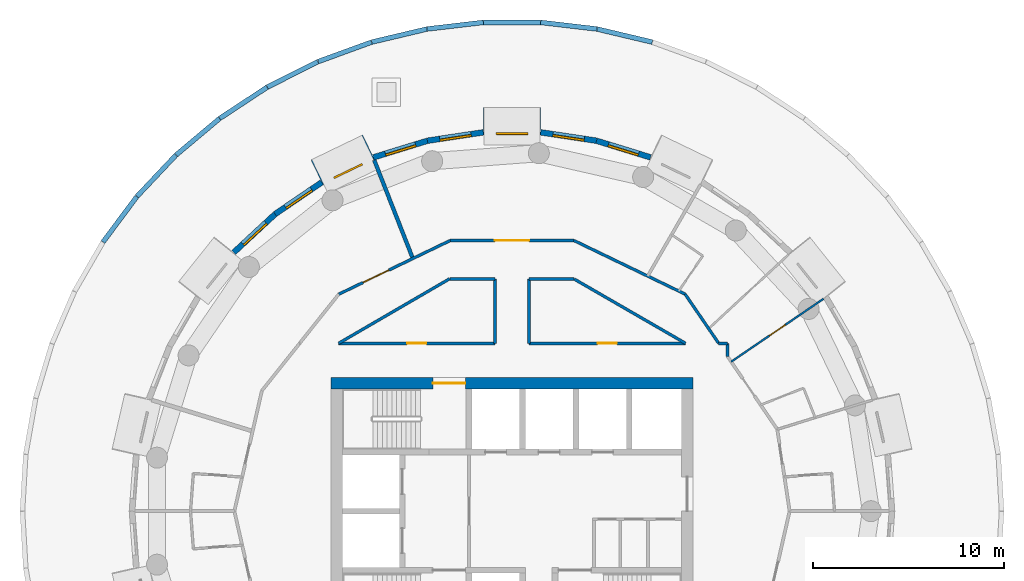
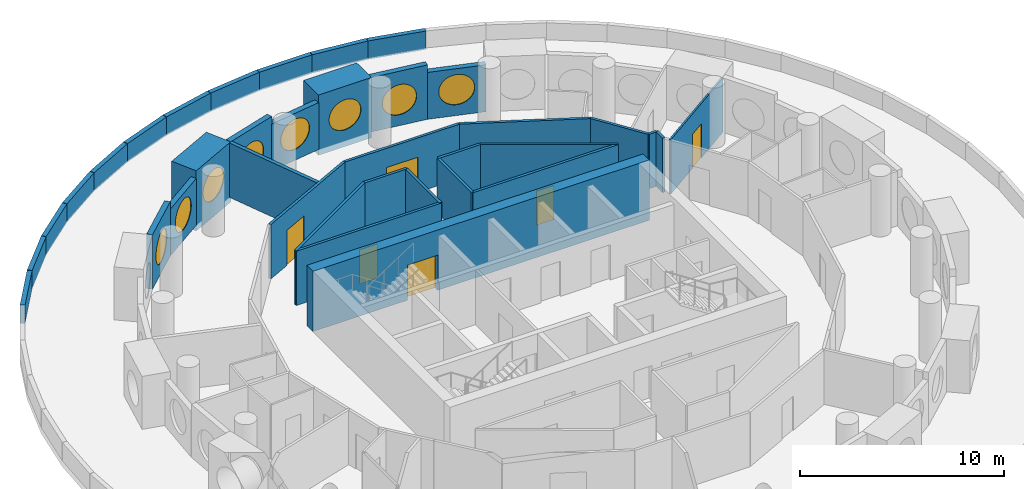
# One storey, part 9 of 13: 36 walls, 8 windows, 6 doors, 14 openings.
"""IFC4 building model written with IfcOpenShell, lengths in metres."""

from ifc_helpers import new_model, si_unit, direction, frame, frame_2d, origin, origin_2d, place, context, subcontext, project, spatial, rectangle, circle, extrude, material, layer, layer_set, type_object, element, fill, save


model = new_model("IFC4")

# Units and contexts
model_context = context("Model", 3, precision=1e-05, world=origin(), true_north=direction((0.0, 1.0)))
body_context = subcontext(model_context, "Body", "Model", "MODEL_VIEW")
ifc_project = project(units=[si_unit("LENGTHUNIT", "METRE"), si_unit("AREAUNIT", "SQUARE_METRE"), si_unit("VOLUMEUNIT", "CUBIC_METRE"), si_unit("PLANEANGLEUNIT", "RADIAN"), si_unit("MASSUNIT", "GRAM", prefix="KILO")], contexts=[model_context])

# Site, building, storey
site_placement = place(None, origin())
site = spatial("IfcSite", under=ifc_project, at=site_placement, CompositionType="ELEMENT")
building_placement = place(site_placement, origin())
building = spatial("IfcBuilding", under=site, at=building_placement, Name="Tracery Tower", CompositionType="ELEMENT")
storey_placement = place(building_placement, frame((0.0, 0.0, 231.0)))
storey = spatial("IfcBuildingStorey", under=building, at=storey_placement, Name="L59", CompositionType="ELEMENT", Elevation=231.0)

# Wall, opening, door
ifc_material_1 = material(Name="Concrete C40/50", Category="concrete")
ifc_layer_1 = layer(ifc_material_1, 0.60009765625)
ifc_layer_set_1 = layer_set([ifc_layer_1], Name="Core wall 600 C40")
wall_type_1 = type_object("IfcWallType", Name="Core wall 600 C40", PredefinedType="SOLIDWALL", material=ifc_layer_set_1)
wall_1_placement = place(storey_placement, frame((-9.5, 6.699951171875, 0.0), z_axis=(0.0, 0.0, 1.0), x_axis=(1.0, 0.0, 0.0)))
wall_1 = element("IfcWall", 1, at=wall_1_placement, inside=storey, type_object=wall_type_1, Name="L59 outer N", PredefinedType="SOLIDWALL", context=body_context, shape_type="SweptSolid", body=[
    extrude(rectangle(XDim=19.0, YDim=0.60009765625, at=frame_2d((9.5, 0.0))), origin(), (0.0, 0.0, 1.0), 3.60009765625),
])
opening_1_placement = place(wall_1_placement, frame((5.35009765625, 0.0, 0.0)))
opening_1 = element("IfcOpeningElement", 2, at=opening_1_placement, cuts=wall_1, Name="Opening KD3", PredefinedType="OPENING", context=body_context, shape_type="SweptSolid", body=[
    extrude(rectangle(XDim=1.699951171875, YDim=2.10009765625, at=frame_2d((0.85009765625, 1.050048828125))), frame((0.0, 0.300048828125, 0.0), z_axis=(0.0, -1.0, 0.0), x_axis=(1.0, 0.0, 0.0)), (0.0, 0.0, 1.0), 0.60009765625),
])
ifc_material_2 = material(Name="Steel fire door", Category="steel")
door_type_1 = type_object("IfcDoorType", Name="Core stair door 1700 double", OperationType="NOTDEFINED", PredefinedType="DOOR", material=ifc_material_2)
door_1_placement = place(opening_1_placement, origin())
door_1 = element("IfcDoor", 3, at=door_1_placement, inside=storey, type_object=door_type_1, Name="Stair door ST3 exit", OperationType="DOUBLE_DOOR_SINGLE_SWING", OverallHeight=2.10009765625, OverallWidth=1.699951171875, PredefinedType="DOOR", context=body_context, shape_type="SweptSolid", body=[
    extrude(rectangle(XDim=1.699951171875, YDim=2.10009765625, at=frame_2d((0.85009765625, 1.050048828125))), frame((0.0, 0.02490234375, 0.0), z_axis=(0.0, -1.0, 0.0), x_axis=(1.0, 0.0, 0.0)), (0.0, 0.0, 1.0), 0.050048828125),
])
fill(opening_1, door_1)

# Wall, opening, window
ifc_material_3 = material(Name="Precast concrete C50/60", Category="concrete")
ifc_layer_2 = layer(ifc_material_3, 1.449951171875)
ifc_layer_set_2 = layer_set([ifc_layer_2], Name="Deep-set bay unit 3000 x 3600, slab edge 350")
wall_type_2 = type_object("IfcWallType", Name="Deep-set bay unit 3000 x 3600, slab edge 350", PredefinedType="ELEMENTEDWALL", material=ifc_layer_set_2)
wall_2_placement = place(storey_placement, frame((1.5, 20.441162109375, -0.35009765625), z_axis=(0.0, 0.0, 1.0), x_axis=(-1.0, 0.0, 0.0)))
wall_2 = element("IfcWall", 4, at=wall_2_placement, inside=storey, type_object=wall_type_2, Name="Deep-set bay unit 11 at L59", PredefinedType="ELEMENTEDWALL", context=body_context, shape_type="SweptSolid", body=[
    extrude(rectangle(XDim=3.0, YDim=1.449951171875, at=frame_2d((1.5, 0.0))), origin(), (0.0, 0.0, 1.0), 3.60009765625),
])
opening_2_placement = place(wall_2_placement, frame((1.5, 0.0, 1.89990234375)))
opening_2 = element("IfcOpeningElement", 5, at=opening_2_placement, cuts=wall_2, Name="Opening WN1", PredefinedType="OPENING", context=body_context, shape_type="SweptSolid", body=[
    extrude(circle(Radius=0.9000244140625, at=origin_2d()), frame((0.0, 0.73486328125, 0.0), z_axis=(0.0, -1.0, 0.0), x_axis=(1.0, 0.0, 0.0)), (0.0, 0.0, 1.0), 1.469970703125),
])
ifc_material_4 = material(Name="Aluminium frame with tinted double glazing", Category="aluminium")
window_type = type_object("IfcWindowType", Name="Round window 1800", PartitioningType="SINGLE_PANEL", PredefinedType="WINDOW", material=ifc_material_4)
window_1_placement = place(opening_2_placement, origin())
window_1 = element("IfcWindow", 6, at=window_1_placement, inside=storey, type_object=window_type, Name="Round window 11 at L59", OverallHeight=1.800048828125, OverallWidth=1.800048828125, PartitioningType="SINGLE_PANEL", PredefinedType="WINDOW", context=body_context, shape_type="SweptSolid", body=[
    extrude(circle(Radius=0.9000244140625, at=origin_2d()), frame((0.0, 0.69482421875, 0.0), z_axis=(0.0, -1.0, 0.0), x_axis=(1.0, 0.0, 0.0)), (0.0, 0.0, 1.0), 0.10009765625),
])
fill(opening_2, window_1)

wall_3_placement = place(storey_placement, frame((-7.517578125, 19.067626953125, -0.35009765625), z_axis=(0.0, 0.0, 1.0), x_axis=(-0.900953362039, -0.433915935904, 0.0)))
wall_3 = element("IfcWall", 7, at=wall_3_placement, inside=storey, type_object=wall_type_2, Name="Deep-set bay unit 14 at L59", PredefinedType="ELEMENTEDWALL", context=body_context, shape_type="SweptSolid", body=[
    extrude(rectangle(XDim=3.0, YDim=1.449951171875, at=frame_2d((1.5, 0.0))), origin(), (0.0, 0.0, 1.0), 3.60009765625),
])
opening_3_placement = place(wall_3_placement, frame((1.5, 0.0, 1.89990234375)))
opening_3 = element("IfcOpeningElement", 8, at=opening_3_placement, cuts=wall_3, Name="Opening WN1", PredefinedType="OPENING", context=body_context, shape_type="SweptSolid", body=[
    extrude(circle(Radius=0.9000244140625, at=origin_2d()), frame((0.0, 0.73486328125, 0.0), z_axis=(0.0, -1.0, 0.0), x_axis=(1.0, 0.0, 0.0)), (0.0, 0.0, 1.0), 1.469970703125),
])
window_2_placement = place(opening_3_placement, origin())
window_2 = element("IfcWindow", 9, at=window_2_placement, inside=storey, type_object=window_type, Name="Round window 14 at L59", OverallHeight=1.800048828125, OverallWidth=1.800048828125, PartitioningType="SINGLE_PANEL", PredefinedType="WINDOW", context=body_context, shape_type="SweptSolid", body=[
    extrude(circle(Radius=0.9000244140625, at=origin_2d()), frame((0.0, 0.69482421875, 0.0), z_axis=(0.0, -1.0, 0.0), x_axis=(1.0, 0.0, 0.0)), (0.0, 0.0, 1.0), 0.10009765625),
])
fill(opening_3, window_2)

ifc_material_5 = material(Name="Precast concrete C50/60", Category="concrete")
ifc_layer_3 = layer(ifc_material_5, 0.300048828125)
ifc_layer_set_3 = layer_set([ifc_layer_3], Name="Facade panel 3000 x 2800")
wall_type_3 = type_object("IfcWallType", Name="Facade panel 3000 x 2800", PredefinedType="SOLIDWALL", material=ifc_layer_set_3)
wall_4_placement = place(storey_placement, frame((7.263671875, 18.549072265625, 0.0), z_axis=(0.0, 0.0, 1.0), x_axis=(-0.955555982805, 0.29480970765, 0.0)))
wall_4 = element("IfcWall", 10, at=wall_4_placement, inside=storey, type_object=wall_type_3, Name="Facade panel 9 at L59", PredefinedType="SOLIDWALL", context=body_context, shape_type="SweptSolid", body=[
    extrude(rectangle(XDim=2.962158203125, YDim=0.300048828125, at=frame_2d((1.48095703125, 0.0))), origin(), (0.0, 0.0, 1.0), 2.800048828125),
])
opening_4_placement = place(wall_4_placement, frame((1.48095703125, 0.0, 1.5498046875)))
opening_4 = element("IfcOpeningElement", 11, at=opening_4_placement, cuts=wall_4, Name="Opening WN1", PredefinedType="OPENING", context=body_context, shape_type="SweptSolid", body=[
    extrude(circle(Radius=0.9000244140625, at=origin_2d()), frame((0.0, 0.159912109375, 0.0), z_axis=(0.0, -1.0, 0.0), x_axis=(1.0, 0.0, 0.0)), (0.0, 0.0, 1.0), 0.320068359375),
])
window_3_placement = place(opening_4_placement, origin())
window_3 = element("IfcWindow", 12, at=window_3_placement, inside=storey, type_object=window_type, Name="Round window 9 at L59", OverallHeight=1.800048828125, OverallWidth=1.800048828125, PartitioningType="SINGLE_PANEL", PredefinedType="WINDOW", context=body_context, shape_type="SweptSolid", body=[
    extrude(circle(Radius=0.9000244140625, at=origin_2d()), frame((0.0, 0.1201171875, 0.0), z_axis=(0.0, -1.0, 0.0), x_axis=(1.0, 0.0, 0.0)), (0.0, 0.0, 1.0), 0.10009765625),
])
fill(opening_4, window_3)

wall_5_placement = place(storey_placement, frame((-1.50390625, 19.86376953125, 0.0), z_axis=(0.0, 0.0, 1.0), x_axis=(-0.988835775663, -0.149009425104, 0.0)))
wall_5 = element("IfcWall", 13, at=wall_5_placement, inside=storey, type_object=wall_type_3, Name="Facade panel 12 at L59", PredefinedType="SOLIDWALL", context=body_context, shape_type="SweptSolid", body=[
    extrude(rectangle(XDim=2.962158203125, YDim=0.300048828125, at=frame_2d((1.48095703125, 0.0))), origin(), (0.0, 0.0, 1.0), 2.800048828125),
])
opening_5_placement = place(wall_5_placement, frame((1.48095703125, 0.0, 1.5498046875)))
opening_5 = element("IfcOpeningElement", 14, at=opening_5_placement, cuts=wall_5, Name="Opening WN1", PredefinedType="OPENING", context=body_context, shape_type="SweptSolid", body=[
    extrude(circle(Radius=0.9000244140625, at=origin_2d()), frame((0.0, 0.159912109375, 0.0), z_axis=(0.0, -1.0, 0.0), x_axis=(1.0, 0.0, 0.0)), (0.0, 0.0, 1.0), 0.320068359375),
])
window_4_placement = place(opening_5_placement, origin())
window_4 = element("IfcWindow", 15, at=window_4_placement, inside=storey, type_object=window_type, Name="Round window 12 at L59", OverallHeight=1.800048828125, OverallWidth=1.800048828125, PartitioningType="SINGLE_PANEL", PredefinedType="WINDOW", context=body_context, shape_type="SweptSolid", body=[
    extrude(circle(Radius=0.9000244140625, at=origin_2d()), frame((0.0, 0.1201171875, 0.0), z_axis=(0.0, -1.0, 0.0), x_axis=(1.0, 0.0, 0.0)), (0.0, 0.0, 1.0), 0.10009765625),
])
fill(opening_5, window_4)

wall_6_placement = place(storey_placement, frame((-9.9736328125, 17.244140625, 0.0), z_axis=(0.0, 0.0, 1.0), x_axis=(-0.826236061068, -0.563324037646, 0.0)))
wall_6 = element("IfcWall", 16, at=wall_6_placement, inside=storey, type_object=wall_type_3, Name="Facade panel 15 at L59", PredefinedType="SOLIDWALL", context=body_context, shape_type="SweptSolid", body=[
    extrude(rectangle(XDim=2.962158203125, YDim=0.300048828125, at=frame_2d((1.48095703125, 0.0))), origin(), (0.0, 0.0, 1.0), 2.800048828125),
])
opening_6_placement = place(wall_6_placement, frame((1.48095703125, 0.0, 1.5498046875)))
opening_6 = element("IfcOpeningElement", 17, at=opening_6_placement, cuts=wall_6, Name="Opening WN1", PredefinedType="OPENING", context=body_context, shape_type="SweptSolid", body=[
    extrude(circle(Radius=0.9000244140625, at=origin_2d()), frame((0.0, 0.159912109375, 0.0), z_axis=(0.0, -1.0, 0.0), x_axis=(1.0, 0.0, 0.0)), (0.0, 0.0, 1.0), 0.320068359375),
])
window_5_placement = place(opening_6_placement, origin())
window_5 = element("IfcWindow", 18, at=window_5_placement, inside=storey, type_object=window_type, Name="Round window 15 at L59", OverallHeight=1.800048828125, OverallWidth=1.800048828125, PartitioningType="SINGLE_PANEL", PredefinedType="WINDOW", context=body_context, shape_type="SweptSolid", body=[
    extrude(circle(Radius=0.9000244140625, at=origin_2d()), frame((0.0, 0.1201171875, 0.0), z_axis=(0.0, -1.0, 0.0), x_axis=(1.0, 0.0, 0.0)), (0.0, 0.0, 1.0), 0.10009765625),
])
fill(opening_6, window_5)

ifc_material_6 = material(Name="Precast concrete C50/60", Category="concrete")
ifc_layer_4 = layer(ifc_material_6, 0.300048828125)
ifc_layer_set_4 = layer_set([ifc_layer_4], Name="Facade panel 3000 x 3250")
wall_type_4 = type_object("IfcWallType", Name="Facade panel 3000 x 3250", PredefinedType="SOLIDWALL", material=ifc_layer_set_4)
wall_7_placement = place(storey_placement, frame((4.43310546875, 19.42236328125, 0.0), z_axis=(0.0, 0.0, 1.0), x_axis=(-0.988835775663, 0.149009425104, 0.0)))
wall_7 = element("IfcWall", 19, at=wall_7_placement, inside=storey, type_object=wall_type_4, Name="Facade panel 10 at L59", PredefinedType="SOLIDWALL", context=body_context, shape_type="SweptSolid", body=[
    extrude(rectangle(XDim=2.962158203125, YDim=0.300048828125, at=frame_2d((1.48095703125, 0.0))), origin(), (0.0, 0.0, 1.0), 3.25),
])
opening_7_placement = place(wall_7_placement, frame((1.48095703125, 0.0, 1.5498046875)))
opening_7 = element("IfcOpeningElement", 20, at=opening_7_placement, cuts=wall_7, Name="Opening WN1", PredefinedType="OPENING", context=body_context, shape_type="SweptSolid", body=[
    extrude(circle(Radius=0.9000244140625, at=origin_2d()), frame((0.0, 0.159912109375, 0.0), z_axis=(0.0, -1.0, 0.0), x_axis=(1.0, 0.0, 0.0)), (0.0, 0.0, 1.0), 0.320068359375),
])
window_6_placement = place(opening_7_placement, origin())
window_6 = element("IfcWindow", 21, at=window_6_placement, inside=storey, type_object=window_type, Name="Round window 10 at L59", OverallHeight=1.800048828125, OverallWidth=1.800048828125, PartitioningType="SINGLE_PANEL", PredefinedType="WINDOW", context=body_context, shape_type="SweptSolid", body=[
    extrude(circle(Radius=0.9000244140625, at=origin_2d()), frame((0.0, 0.1201171875, 0.0), z_axis=(0.0, -1.0, 0.0), x_axis=(1.0, 0.0, 0.0)), (0.0, 0.0, 1.0), 0.10009765625),
])
fill(opening_7, window_6)

wall_8_placement = place(storey_placement, frame((-4.43310546875, 19.42236328125, 0.0), z_axis=(0.0, 0.0, 1.0), x_axis=(-0.955555982805, -0.29480970765, 0.0)))
wall_8 = element("IfcWall", 22, at=wall_8_placement, inside=storey, type_object=wall_type_4, Name="Facade panel 13 at L59", PredefinedType="SOLIDWALL", context=body_context, shape_type="SweptSolid", body=[
    extrude(rectangle(XDim=2.962158203125, YDim=0.300048828125, at=frame_2d((1.48095703125, 0.0))), origin(), (0.0, 0.0, 1.0), 3.25),
])
opening_8_placement = place(wall_8_placement, frame((1.48095703125, 0.0, 1.5498046875)))
opening_8 = element("IfcOpeningElement", 23, at=opening_8_placement, cuts=wall_8, Name="Opening WN1", PredefinedType="OPENING", context=body_context, shape_type="SweptSolid", body=[
    extrude(circle(Radius=0.9000244140625, at=origin_2d()), frame((0.0, 0.159912109375, 0.0), z_axis=(0.0, -1.0, 0.0), x_axis=(1.0, 0.0, 0.0)), (0.0, 0.0, 1.0), 0.320068359375),
])
window_7_placement = place(opening_8_placement, origin())
window_7 = element("IfcWindow", 24, at=window_7_placement, inside=storey, type_object=window_type, Name="Round window 13 at L59", OverallHeight=1.800048828125, OverallWidth=1.800048828125, PartitioningType="SINGLE_PANEL", PredefinedType="WINDOW", context=body_context, shape_type="SweptSolid", body=[
    extrude(circle(Radius=0.9000244140625, at=origin_2d()), frame((0.0, 0.1201171875, 0.0), z_axis=(0.0, -1.0, 0.0), x_axis=(1.0, 0.0, 0.0)), (0.0, 0.0, 1.0), 0.10009765625),
])
fill(opening_8, window_7)

wall_9_placement = place(storey_placement, frame((-12.421142578125, 15.575439453125, 0.0), z_axis=(0.0, 0.0, 1.0), x_axis=(-0.733028283666, -0.680198158882, 0.0)))
wall_9 = element("IfcWall", 25, at=wall_9_placement, inside=storey, type_object=wall_type_4, Name="Facade panel 16 at L59", PredefinedType="SOLIDWALL", context=body_context, shape_type="SweptSolid", body=[
    extrude(rectangle(XDim=2.962158203125, YDim=0.300048828125, at=frame_2d((1.48095703125, 0.0))), origin(), (0.0, 0.0, 1.0), 3.25),
])
opening_9_placement = place(wall_9_placement, frame((1.48095703125, 0.0, 1.5498046875)))
opening_9 = element("IfcOpeningElement", 26, at=opening_9_placement, cuts=wall_9, Name="Opening WN1", PredefinedType="OPENING", context=body_context, shape_type="SweptSolid", body=[
    extrude(circle(Radius=0.9000244140625, at=origin_2d()), frame((0.0, 0.159912109375, 0.0), z_axis=(0.0, -1.0, 0.0), x_axis=(1.0, 0.0, 0.0)), (0.0, 0.0, 1.0), 0.320068359375),
])
window_8_placement = place(opening_9_placement, origin())
window_8 = element("IfcWindow", 27, at=window_8_placement, inside=storey, type_object=window_type, Name="Round window 16 at L59", OverallHeight=1.800048828125, OverallWidth=1.800048828125, PartitioningType="SINGLE_PANEL", PredefinedType="WINDOW", context=body_context, shape_type="SweptSolid", body=[
    extrude(circle(Radius=0.9000244140625, at=origin_2d()), frame((0.0, 0.1201171875, 0.0), z_axis=(0.0, -1.0, 0.0), x_axis=(1.0, 0.0, 0.0)), (0.0, 0.0, 1.0), 0.10009765625),
])
fill(opening_9, window_8)

# Wall, opening, door
ifc_material_7 = material(Name="Plasterboard on steel studs", Category="steel")
ifc_layer_5 = layer(ifc_material_7, 0.10009765625)
ifc_layer_set_5 = layer_set([ifc_layer_5], Name="Partition 100 stud")
wall_type_5 = type_object("IfcWallType", Name="Partition 100 stud", PredefinedType="PARTITIONING", material=ifc_layer_set_5)
wall_10_placement = place(storey_placement, frame((11.492919921875, 7.8359375, 0.0), z_axis=(0.0, 0.0, 1.0), x_axis=(0.826231748746, 0.563330362544, 0.0)))
wall_10 = element("IfcWall", 28, at=wall_10_placement, inside=storey, type_object=wall_type_5, Name="Stud partition RC1-046", PredefinedType="PARTITIONING", context=body_context, shape_type="SweptSolid", body=[
    extrude(rectangle(XDim=5.861572265625, YDim=0.10009765625, at=frame_2d((2.9306640625, 0.0))), origin(), (0.0, 0.0, 1.0), 3.25),
])
opening_10_placement = place(wall_10_placement, frame((2.430908203125, 0.0, 0.0)))
opening_10 = element("IfcOpeningElement", 29, at=opening_10_placement, cuts=wall_10, Name="Opening RC1-06", PredefinedType="OPENING", context=body_context, shape_type="SweptSolid", body=[
    extrude(rectangle(XDim=1.0, YDim=2.0400390625, at=frame_2d((0.5, 1.02001953125))), frame((0.0, 0.050048828125, 0.0), z_axis=(0.0, -1.0, 0.0), x_axis=(1.0, 0.0, 0.0)), (0.0, 0.0, 1.0), 0.10009765625),
])
ifc_material_8 = material(Name="Timber door leaf", Category="wood")
door_type_2 = type_object("IfcDoorType", Name="Door communal room 1000", OperationType="NOTDEFINED", PredefinedType="DOOR", material=ifc_material_8)
door_2_placement = place(opening_10_placement, origin())
door_2 = element("IfcDoor", 30, at=door_2_placement, inside=storey, type_object=door_type_2, Name="Communal room door RC1-06", OperationType="SINGLE_SWING_RIGHT", OverallHeight=2.0400390625, OverallWidth=1.0, PredefinedType="DOOR", context=body_context, shape_type="SweptSolid", body=[
    extrude(rectangle(XDim=1.0, YDim=2.0400390625, at=frame_2d((0.5, 1.02001953125))), frame((0.0, 0.02490234375, 0.0), z_axis=(0.0, -1.0, 0.0), x_axis=(1.0, 0.0, 0.0)), (0.0, 0.0, 1.0), 0.050048828125),
])
fill(opening_10, door_2)

# Wall
ifc_material_9 = material(Name="Plasterboard on steel studs", Category="steel")
ifc_layer_6 = layer(ifc_material_9, 0.14990234375)
ifc_layer_set_6 = layer_set([ifc_layer_6], Name="Partition 150 corridor wall")
wall_type_6 = type_object("IfcWallType", Name="Partition 150 corridor wall", PredefinedType="PARTITIONING", material=ifc_layer_set_6)
wall_11_placement = place(storey_placement, frame((-9.092041015625, 8.800048828125, 0.0), z_axis=(0.0, 0.0, 1.0), x_axis=(0.864470922103, 0.502682827277, 0.0)))
element("IfcWall", 31, at=wall_11_placement, inside=storey, type_object=wall_type_6, Name="Corridor wall RC1-001", PredefinedType="PARTITIONING", context=body_context, shape_type="SweptSolid", body=[
    extrude(rectangle(XDim=6.7353515625, YDim=0.14990234375, at=frame_2d((3.36767578125, 0.0))), origin(), (0.0, 0.0, 1.0), 3.25),
])

# Wall, opening, door
wall_12_placement = place(storey_placement, frame((-9.092041015625, 8.800048828125, 0.0), z_axis=(0.0, 0.0, 1.0), x_axis=(1.0, 0.0, 0.0)))
wall_12 = element("IfcWall", 32, at=wall_12_placement, inside=storey, type_object=wall_type_6, Name="Corridor wall RC1-002", PredefinedType="PARTITIONING", context=body_context, shape_type="SweptSolid", body=[
    extrude(rectangle(XDim=8.196044921875, YDim=0.14990234375, at=frame_2d((4.09814453125, 0.0))), origin(), (0.0, 0.0, 1.0), 3.25),
])
opening_11_placement = place(wall_12_placement, frame((3.597900390625, 0.0, 0.0)))
opening_11 = element("IfcOpeningElement", 33, at=opening_11_placement, cuts=wall_12, Name="Opening RC1-01", PredefinedType="OPENING", context=body_context, shape_type="SweptSolid", body=[
    extrude(rectangle(XDim=1.0, YDim=2.0400390625, at=frame_2d((0.5, 1.02001953125))), frame((0.0, 0.074951171875, 0.0), z_axis=(0.0, -1.0, 0.0), x_axis=(1.0, 0.0, 0.0)), (0.0, 0.0, 1.0), 0.14990234375),
])
door_3_placement = place(opening_11_placement, origin())
door_3 = element("IfcDoor", 34, at=door_3_placement, inside=storey, type_object=door_type_2, Name="Communal room door RC1-01", OperationType="SINGLE_SWING_RIGHT", OverallHeight=2.0400390625, OverallWidth=1.0, PredefinedType="DOOR", context=body_context, shape_type="SweptSolid", body=[
    extrude(rectangle(XDim=1.0, YDim=2.0400390625, at=frame_2d((0.5, 1.02001953125))), frame((0.0, 0.02490234375, 0.0), z_axis=(0.0, -1.0, 0.0), x_axis=(1.0, 0.0, 0.0)), (0.0, 0.0, 1.0), 0.050048828125),
])
fill(opening_11, door_3)

wall_13_placement = place(storey_placement, frame((0.89599609375, 8.800048828125, 0.0), z_axis=(0.0, 0.0, 1.0), x_axis=(1.0, 0.0, 0.0)))
wall_13 = element("IfcWall", 35, at=wall_13_placement, inside=storey, type_object=wall_type_6, Name="Corridor wall RC1-003", PredefinedType="PARTITIONING", context=body_context, shape_type="SweptSolid", body=[
    extrude(rectangle(XDim=8.20458984375, YDim=0.14990234375, at=frame_2d((4.102294921875, 0.0))), origin(), (0.0, 0.0, 1.0), 3.25),
])
opening_12_placement = place(wall_13_placement, frame((3.597900390625, 0.0, 0.0)))
opening_12 = element("IfcOpeningElement", 36, at=opening_12_placement, cuts=wall_13, Name="Opening RC1-02", PredefinedType="OPENING", context=body_context, shape_type="SweptSolid", body=[
    extrude(rectangle(XDim=1.0, YDim=2.0400390625, at=frame_2d((0.5, 1.02001953125))), frame((0.0, 0.074951171875, 0.0), z_axis=(0.0, -1.0, 0.0), x_axis=(1.0, 0.0, 0.0)), (0.0, 0.0, 1.0), 0.14990234375),
])
door_4_placement = place(opening_12_placement, origin())
door_4 = element("IfcDoor", 37, at=door_4_placement, inside=storey, type_object=door_type_2, Name="Communal room door RC1-02", OperationType="SINGLE_SWING_RIGHT", OverallHeight=2.0400390625, OverallWidth=1.0, PredefinedType="DOOR", context=body_context, shape_type="SweptSolid", body=[
    extrude(rectangle(XDim=1.0, YDim=2.0400390625, at=frame_2d((0.5, 1.02001953125))), frame((0.0, 0.02490234375, 0.0), z_axis=(0.0, -1.0, 0.0), x_axis=(1.0, 0.0, 0.0)), (0.0, 0.0, 1.0), 0.050048828125),
])
fill(opening_12, door_4)

# Walls
wall_14_placement = place(storey_placement, frame((9.075439453125, 11.380615234375, 0.0), z_axis=(0.0, 0.0, 1.0), x_axis=(0.564277533473, -0.825585165333, 0.0)))
element("IfcWall", 38, at=wall_14_placement, inside=storey, type_object=wall_type_6, Name="Corridor wall RC1-005", PredefinedType="PARTITIONING", context=body_context, shape_type="SweptSolid", body=[
    extrude(rectangle(XDim=3.123291015625, YDim=0.14990234375, at=frame_2d((1.5615234375, 0.0))), origin(), (0.0, 0.0, 1.0), 3.25),
])
wall_15_placement = place(storey_placement, frame((10.839111328125, 8.800048828125, 0.0), z_axis=(0.0, 0.0, 1.0), x_axis=(1.0, 0.0, 0.0)))
element("IfcWall", 39, at=wall_15_placement, inside=storey, type_object=wall_type_6, Name="Corridor wall RC1-006", PredefinedType="PARTITIONING", context=body_context, shape_type="SweptSolid", body=[
    extrude(rectangle(XDim=0.4609375, YDim=0.14990234375, at=frame_2d((0.23046875, 0.0))), origin(), (0.0, 0.0, 1.0), 3.25),
])
wall_16_placement = place(storey_placement, frame((11.300048828125, 8.113037109375, 0.0), z_axis=(0.0, 0.0, 1.0), x_axis=(0.0, 1.0, 0.0)))
element("IfcWall", 40, at=wall_16_placement, inside=storey, type_object=wall_type_6, Name="Corridor wall RC1-007", PredefinedType="PARTITIONING", context=body_context, shape_type="SweptSolid", body=[
    extrude(rectangle(XDim=0.68701171875, YDim=0.14990234375, at=frame_2d((0.343505859375, 0.0))), origin(), (0.0, 0.0, 1.0), 3.25),
])
wall_17_placement = place(storey_placement, frame((-0.89990234375, 8.800048828125, 0.0), z_axis=(0.0, 0.0, 1.0), x_axis=(0.0, 1.0, 0.0)))
element("IfcWall", 41, at=wall_17_placement, inside=storey, type_object=wall_type_6, Name="Corridor wall RC1-025", PredefinedType="PARTITIONING", context=body_context, shape_type="SweptSolid", body=[
    extrude(rectangle(XDim=3.370849609375, YDim=0.14990234375, at=frame_2d((1.685546875, 0.0))), origin(), (0.0, 0.0, 1.0), 3.25),
])
wall_18_placement = place(storey_placement, frame((-3.260986328125, 12.1708984375, 0.0), z_axis=(0.0, 0.0, 1.0), x_axis=(1.0, 0.0, 0.0)))
element("IfcWall", 42, at=wall_18_placement, inside=storey, type_object=wall_type_6, Name="Corridor wall RC1-026", PredefinedType="PARTITIONING", context=body_context, shape_type="SweptSolid", body=[
    extrude(rectangle(XDim=2.361083984375, YDim=0.14990234375, at=frame_2d((1.1806640625, 0.0))), origin(), (0.0, 0.0, 1.0), 3.25),
])
wall_19_placement = place(storey_placement, frame((3.260986328125, 12.1708984375, 0.0), z_axis=(0.0, 0.0, 1.0), x_axis=(0.866066809554, -0.499928276245, 0.0)))
element("IfcWall", 43, at=wall_19_placement, inside=storey, type_object=wall_type_6, Name="Corridor wall RC1-027", PredefinedType="PARTITIONING", context=body_context, shape_type="SweptSolid", body=[
    extrude(rectangle(XDim=6.74267578125, YDim=0.14990234375, at=frame_2d((3.371337890625, 0.0))), origin(), (0.0, 0.0, 1.0), 3.25),
])
wall_20_placement = place(storey_placement, frame((0.89990234375, 12.1708984375, 0.0), z_axis=(0.0, 0.0, 1.0), x_axis=(1.0, 0.0, 0.0)))
element("IfcWall", 44, at=wall_20_placement, inside=storey, type_object=wall_type_6, Name="Corridor wall RC1-028", PredefinedType="PARTITIONING", context=body_context, shape_type="SweptSolid", body=[
    extrude(rectangle(XDim=2.361083984375, YDim=0.14990234375, at=frame_2d((1.1806640625, 0.0))), origin(), (0.0, 0.0, 1.0), 3.25),
])
wall_21_placement = place(storey_placement, frame((0.89990234375, 8.800048828125, 0.0), z_axis=(0.0, 0.0, 1.0), x_axis=(0.0, 1.0, 0.0)))
element("IfcWall", 45, at=wall_21_placement, inside=storey, type_object=wall_type_6, Name="Corridor wall RC1-029", PredefinedType="PARTITIONING", context=body_context, shape_type="SweptSolid", body=[
    extrude(rectangle(XDim=3.370849609375, YDim=0.14990234375, at=frame_2d((1.685546875, 0.0))), origin(), (0.0, 0.0, 1.0), 3.25),
])
wall_22_placement = place(storey_placement, frame((3.240234375, 14.194580078125, 0.0), z_axis=(0.0, 0.0, 1.0), x_axis=(0.900778421649, -0.434278983018, 0.0)))
element("IfcWall", 46, at=wall_22_placement, inside=storey, type_object=wall_type_6, Name="Corridor wall RC1-030", PredefinedType="PARTITIONING", context=body_context, shape_type="SweptSolid", body=[
    extrude(rectangle(XDim=6.478515625, YDim=0.14990234375, at=frame_2d((3.2392578125, 0.0))), origin(), (0.0, 0.0, 1.0), 3.25),
])

# Wall, opening, door
wall_23_placement = place(storey_placement, frame((-9.0751953125, 11.37939453125, 0.0), z_axis=(0.0, 0.0, 1.0), x_axis=(0.900851590682, 0.434127183629, 0.0)))
wall_23 = element("IfcWall", 47, at=wall_23_placement, inside=storey, type_object=wall_type_6, Name="Corridor wall RC1-031", PredefinedType="PARTITIONING", context=body_context, shape_type="SweptSolid", body=[
    extrude(rectangle(XDim=6.478515625, YDim=0.14990234375, at=frame_2d((3.2392578125, 0.0))), origin(), (0.0, 0.0, 1.0), 3.25),
])
opening_13_placement = place(wall_23_placement, frame((1.404052734375, 0.0, 0.0)))
opening_13 = element("IfcOpeningElement", 48, at=opening_13_placement, cuts=wall_23, Name="Opening RC1-13", PredefinedType="OPENING", context=body_context, shape_type="SweptSolid", body=[
    extrude(rectangle(XDim=1.5, YDim=2.10009765625, at=frame_2d((0.75, 1.050048828125))), frame((0.0, 0.074951171875, 0.0), z_axis=(0.0, -1.0, 0.0), x_axis=(1.0, 0.0, 0.0)), (0.0, 0.0, 1.0), 0.14990234375),
])
ifc_material_10 = material(Name="Timber door leaf", Category="wood")
door_type_3 = type_object("IfcDoorType", Name="Door double kitchen 1500", OperationType="NOTDEFINED", PredefinedType="DOOR", material=ifc_material_10)
door_5_placement = place(opening_13_placement, origin())
door_5 = element("IfcDoor", 49, at=door_5_placement, inside=storey, type_object=door_type_3, Name="Double kitchen door RC1-13", OperationType="DOUBLE_DOOR_SINGLE_SWING", OverallHeight=2.10009765625, OverallWidth=1.5, PredefinedType="DOOR", context=body_context, shape_type="SweptSolid", body=[
    extrude(rectangle(XDim=1.5, YDim=2.10009765625, at=frame_2d((0.75, 1.050048828125))), frame((0.0, 0.02490234375, 0.0), z_axis=(0.0, -1.0, 0.0), x_axis=(1.0, 0.0, 0.0)), (0.0, 0.0, 1.0), 0.050048828125),
])
fill(opening_13, door_5)

wall_24_placement = place(storey_placement, frame((-3.239013671875, 14.19189453125, 0.0), z_axis=(0.0, 0.0, 1.0), x_axis=(1.0, 0.0, 0.0)))
wall_24 = element("IfcWall", 50, at=wall_24_placement, inside=storey, type_object=wall_type_6, Name="Corridor wall RC1-032", PredefinedType="PARTITIONING", context=body_context, shape_type="SweptSolid", body=[
    extrude(rectangle(XDim=6.47802734375, YDim=0.14990234375, at=frame_2d((3.239013671875, 0.0))), origin(), (0.0, 0.0, 1.0), 3.25),
])
opening_14_placement = place(wall_24_placement, frame((2.339111328125, 0.0, 0.0)))
opening_14 = element("IfcOpeningElement", 51, at=opening_14_placement, cuts=wall_24, Name="Opening RC1-12", PredefinedType="OPENING", context=body_context, shape_type="SweptSolid", body=[
    extrude(rectangle(XDim=1.800048828125, YDim=2.10009765625, at=frame_2d((0.89990234375, 1.050048828125))), frame((0.0, 0.074951171875, 0.0), z_axis=(0.0, -1.0, 0.0), x_axis=(1.0, 0.0, 0.0)), (0.0, 0.0, 1.0), 0.14990234375),
])
ifc_material_11 = material(Name="Timber door leaf", Category="wood")
door_type_4 = type_object("IfcDoorType", Name="Door double lounge 1800", OperationType="NOTDEFINED", PredefinedType="DOOR", material=ifc_material_11)
door_6_placement = place(opening_14_placement, origin())
door_6 = element("IfcDoor", 52, at=door_6_placement, inside=storey, type_object=door_type_4, Name="Double lounge door RC1-12", OperationType="DOUBLE_DOOR_SINGLE_SWING", OverallHeight=2.10009765625, OverallWidth=1.800048828125, PredefinedType="DOOR", context=body_context, shape_type="SweptSolid", body=[
    extrude(rectangle(XDim=1.800048828125, YDim=2.10009765625, at=frame_2d((0.89990234375, 1.050048828125))), frame((0.0, 0.02490234375, 0.0), z_axis=(0.0, -1.0, 0.0), x_axis=(1.0, 0.0, 0.0)), (0.0, 0.0, 1.0), 0.050048828125),
])
fill(opening_14, door_6)

# Walls
ifc_material_12 = material(Name="Plasterboard on steel studs", Category="steel")
ifc_layer_7 = layer(ifc_material_12, 0.199951171875)
ifc_layer_set_7 = layer_set([ifc_layer_7], Name="Partition 200 compartment wall")
wall_type_7 = type_object("IfcWallType", Name="Partition 200 compartment wall", PredefinedType="PARTITIONING", material=ifc_layer_set_7)
wall_25_placement = place(storey_placement, frame((-7.222900390625, 18.405029296875, 0.0), z_axis=(0.0, 0.0, 1.0), x_axis=(0.365334662456, -0.930876245485, 0.0)))
element("IfcWall", 53, at=wall_25_placement, inside=storey, type_object=wall_type_7, Name="Compartment wall RC1-058", PredefinedType="PARTITIONING", context=body_context, shape_type="SweptSolid", body=[
    extrude(rectangle(XDim=5.5400390625, YDim=0.199951171875, at=frame_2d((2.77001953125, 0.0))), origin(), (0.0, 0.0, 1.0), 3.25),
])
ifc_material_13 = material(Name="Precast concrete C50/60", Category="concrete")
ifc_layer_8 = layer(ifc_material_13, 0.25)
ifc_layer_set_8 = layer_set([ifc_layer_8], Name="Terrace parapet 250")
wall_type_8 = type_object("IfcWallType", Name="Terrace parapet 250", PredefinedType="PARAPET", material=ifc_layer_set_8)
wall_26_placement = place(storey_placement, frame((7.35498046875, 24.595947265625, 0.0), z_axis=(0.0, 0.0, 1.0), x_axis=(-0.973053589201, 0.230579080886, 0.0)))
element("IfcWall", 54, at=wall_26_placement, inside=storey, type_object=wall_type_8, Name="Terrace parapet L59 12", PredefinedType="PARAPET", context=body_context, shape_type="SweptSolid", body=[
    extrude(rectangle(XDim=2.968994140625, YDim=0.25, at=frame_2d((1.484375, 0.0))), origin(), (0.0, 0.0, 1.0), 1.10009765625),
])
for number, where, z_axis, x_axis, name in (
    (55, (4.44970703125, 25.283447265625, 0.0), (0.0, 0.0, 1.0), (-0.993235661957, 0.116115975715, 0.0), "Terrace parapet L59 13"),
    (56, (1.484375, 25.629150390625, 0.0), (0.0, 0.0, 1.0), (-1.0, 0.0, 0.0), "Terrace parapet L59 14"),
    (57, (-1.5009765625, 25.628173828125, 0.0), (0.0, 0.0, 1.0), (-0.993235661957, -0.116115975715, 0.0), "Terrace parapet L59 15"),
):
    element("IfcWall", number, at=place(storey_placement, frame(where, z_axis=z_axis, x_axis=x_axis)), inside=storey, type_object=wall_type_8, Name=name, PredefinedType="PARAPET", context=body_context, shape_type="SweptSolid", body=[
        extrude(rectangle(XDim=2.96875, YDim=0.25, at=frame_2d((1.484375, 0.0))), origin(), (0.0, 0.0, 1.0), 1.10009765625),
    ])
for number, where, z_axis, x_axis, name in (
    (58, (-4.466064453125, 25.280517578125, 0.0), (0.0, 0.0, 1.0), (-0.973053589201, -0.230579080886, 0.0), "Terrace parapet L59 16"),
    (59, (-7.37060546875, 24.591064453125, 0.0), (0.0, 0.0, 1.0), (-0.93970456121, -0.341987335498, 0.0), "Terrace parapet L59 17"),
):
    element("IfcWall", number, at=place(storey_placement, frame(where, z_axis=z_axis, x_axis=x_axis)), inside=storey, type_object=wall_type_8, Name=name, PredefinedType="PARAPET", context=body_context, shape_type="SweptSolid", body=[
        extrude(rectangle(XDim=2.968994140625, YDim=0.25, at=frame_2d((1.484375, 0.0))), origin(), (0.0, 0.0, 1.0), 1.10009765625),
    ])
for number, where, z_axis, x_axis, name in (
    (60, (-10.17578125, 23.569091796875, 0.0), (0.0, 0.0, 1.0), (-0.893652841429, -0.448758954235, 0.0), "Terrace parapet L59 18"),
    (61, (-12.84326171875, 22.228515625, 0.0), (0.0, 0.0, 1.0), (-0.83543794874, -0.549584783092, 0.0), "Terrace parapet L59 19"),
    (62, (-15.3369140625, 20.587158203125, 0.0), (0.0, 0.0, 1.0), (-0.766012577195, -0.642825584104, 0.0), "Terrace parapet L59 20"),
    (63, (-17.623291015625, 18.66748046875, 0.0), (0.0, 0.0, 1.0), (-0.686249159737, -0.727366544982, 0.0), "Terrace parapet L59 21"),
    (64, (-19.671142578125, 16.495361328125, 0.0), (0.0, 0.0, 1.0), (-0.597180604303, -0.802106804512, 0.0), "Terrace parapet L59 22"),
):
    element("IfcWall", number, at=place(storey_placement, frame(where, z_axis=z_axis, x_axis=x_axis)), inside=storey, type_object=wall_type_8, Name=name, PredefinedType="PARAPET", context=body_context, shape_type="SweptSolid", body=[
        extrude(rectangle(XDim=2.96875, YDim=0.25, at=frame_2d((1.484375, 0.0))), origin(), (0.0, 0.0, 1.0), 1.10009765625),
    ])

save(model, "model.ifc")
